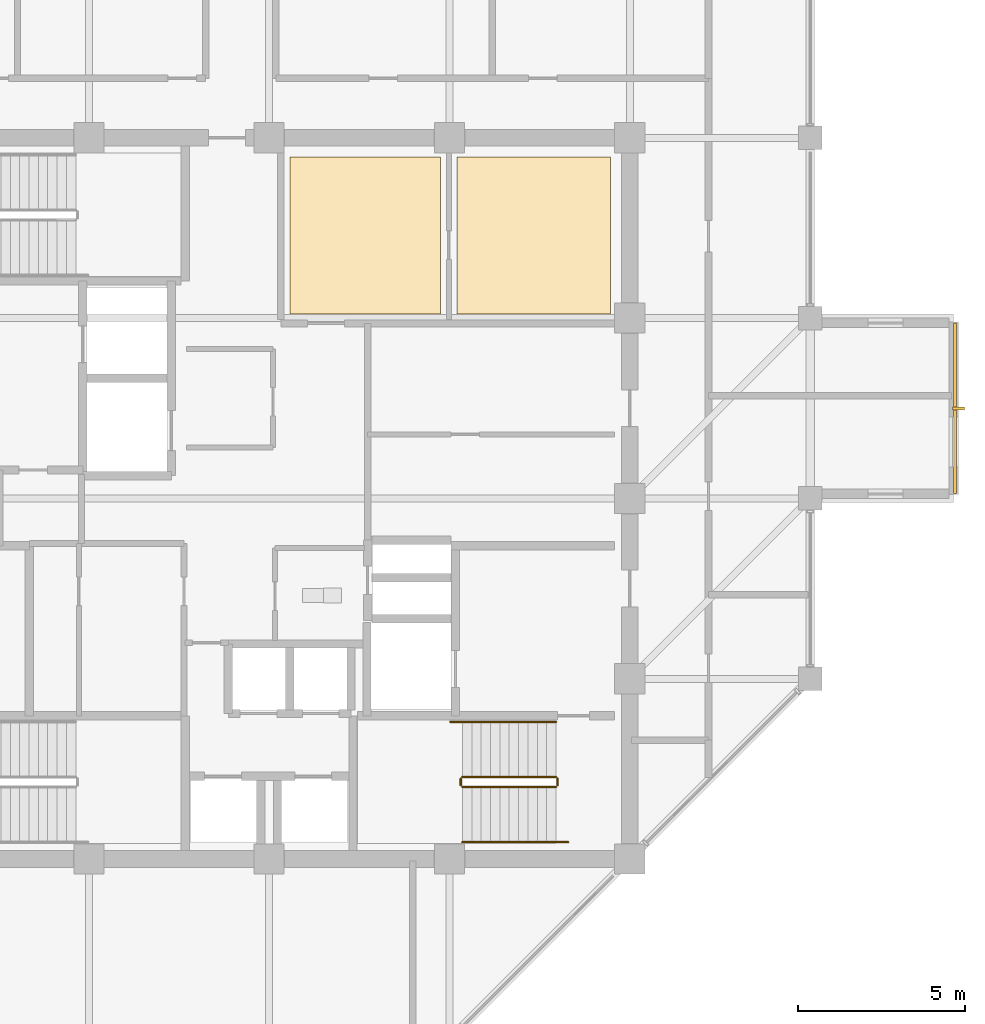
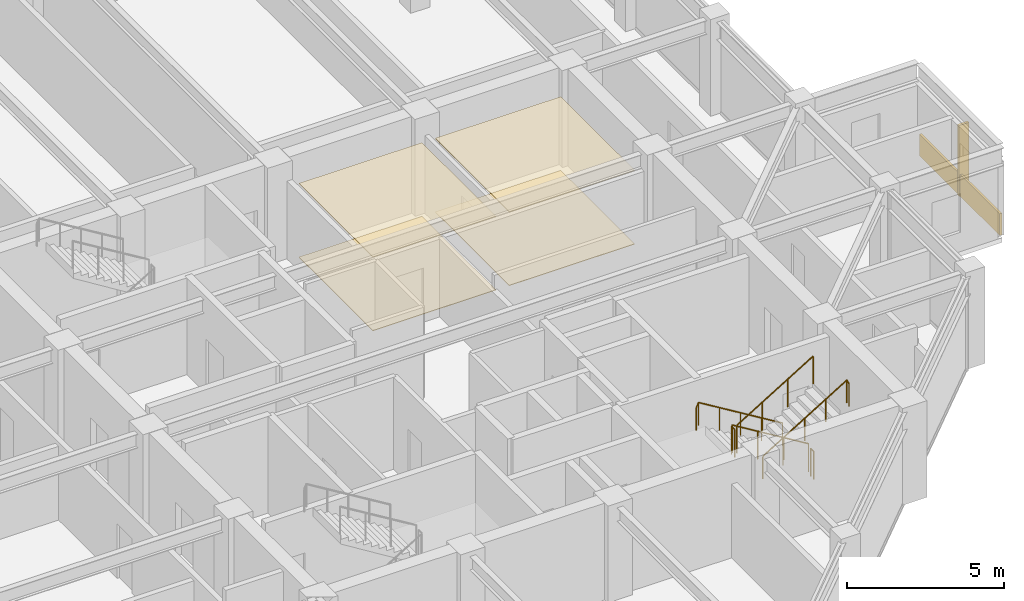
# One storey, part 31 of 32: 6 railings, 5 coverings, 1 shading device.
"""IFC4 building model written with IfcOpenShell, lengths in metres."""

from ifc_helpers import new_model, si_unit, direction, frame, origin, origin_2d, place, context, subcontext, project, spatial, polyline, rectangle, circle, outline, extrude, material, layer, layer_set, type_object, element, save


model = new_model("IFC4")

# Units and contexts
model_context = context("Model", 3, precision=1e-05, world=origin(), true_north=direction((0.0, 1.0)))
body_context = subcontext(model_context, "Body", "Model", "MODEL_VIEW")
ifc_project = project(units=[si_unit("LENGTHUNIT", "METRE"), si_unit("AREAUNIT", "SQUARE_METRE"), si_unit("VOLUMEUNIT", "CUBIC_METRE"), si_unit("PLANEANGLEUNIT", "RADIAN"), si_unit("MASSUNIT", "GRAM", prefix="KILO")], contexts=[model_context])

# Site, building, storey
site_placement = place(None, origin())
site = spatial("IfcSite", under=ifc_project, at=site_placement, CompositionType="ELEMENT")
building_placement = place(site_placement, origin())
building = spatial("IfcBuilding", under=site, at=building_placement, Name="Surkhivell Harbour Commons", CompositionType="ELEMENT")
storey_placement = place(building_placement, frame((0.0, 0.0, 311.25)))
storey = spatial("IfcBuildingStorey", under=building, at=storey_placement, Name="L81", CompositionType="ELEMENT", Elevation=311.25)

# Coverings
ifc_material_1 = material(Name="Perforated acoustic mineral-fibre ceiling tile", Category="other")
ifc_layer_1 = layer(ifc_material_1, 0.02490234375)
ifc_layer_set_1 = layer_set([ifc_layer_1], Name="Perforated acoustic mineral-fibre ceiling tile")
covering_type_1 = type_object("IfcCoveringType", Name="COV-CEIL-AC", PredefinedType="CEILING", material=ifc_layer_set_1)
covering_1_placement = place(storey_placement, frame((0.0, 0.0, 2.85205078125)))
element("IfcCovering", 1, at=covering_1_placement, inside=storey, type_object=covering_type_1, Name="L81 Suspended Acoustic Ceiling 1", PredefinedType="CEILING", context=body_context, shape_type="SweptSolid", body=[
    extrude(outline(polyline([(0.6201171875, 5.52001953125), (5.1298828125, 5.52001953125), (5.1298828125, 10.219970703125), (0.6201171875, 10.219970703125), (0.6201171875, 5.52001953125)])), origin(), (0.0, 0.0, 1.0), 0.02490234375),
])
ifc_material_2 = material(Name="Moisture-resistant gypsum acoustic ceiling board", Category="other")
ifc_layer_2 = layer(ifc_material_2, 0.030029296875)
ifc_layer_set_2 = layer_set([ifc_layer_2], Name="Moisture-resistant gypsum acoustic ceiling board")
covering_type_2 = type_object("IfcCoveringType", Name="COV-CEIL-GYP", PredefinedType="CEILING", material=ifc_layer_set_2)
covering_2_placement = place(storey_placement, frame((0.0, 0.0, 2.846923828125)))
element("IfcCovering", 2, at=covering_2_placement, inside=storey, type_object=covering_type_2, Name="L81 Suspended Acoustic Ceiling 2", PredefinedType="CEILING", context=body_context, shape_type="SweptSolid", body=[
    extrude(outline(polyline([(5.6201171875, 5.52001953125), (10.219970703125, 5.52001953125), (10.219970703125, 10.219970703125), (5.6201171875, 10.219970703125), (5.6201171875, 5.52001953125)])), origin(), (0.0, 0.0, 1.0), 0.030029296875),
])
ifc_material_3 = material(Name="Emerald-teal enamelled aluminium cassette panel", Category="aluminium")
ifc_layer_3 = layer(ifc_material_3, 0.068115234375)
ifc_layer_set_3 = layer_set([ifc_layer_3], Name="Emerald-teal enamelled aluminium cassette panel")
covering_type_3 = type_object("IfcCoveringType", Name="COV-CLAD-EME", PredefinedType="CLADDING", material=ifc_layer_set_3)
covering_3_placement = place(storey_placement, frame((20.5400390625, 2.699951171875, 0.0), z_axis=(0.0, 0.0, 1.0), x_axis=(1.0, 0.0, 0.0)))
element("IfcCovering", 3, at=covering_3_placement, inside=storey, type_object=covering_type_3, Name="L81 Coloured-Panel Box Spandrel Cassette 01", PredefinedType="CLADDING", context=body_context, shape_type="SweptSolid", body=[
    extrude(rectangle(XDim=0.080078125, YDim=5.10009765625, at=origin_2d()), origin(), (0.0, 0.0, 1.0), 0.840087890625),
])
ifc_material_4 = material(Name="Engineered acoustic oak timber flooring", Category="wood")
ifc_layer_4 = layer(ifc_material_4, 0.02001953125)
ifc_layer_set_4 = layer_set([ifc_layer_4], Name="Engineered acoustic oak timber flooring")
covering_type_4 = type_object("IfcCoveringType", Name="COV-FLR-TIM", PredefinedType="FLOORING", material=ifc_layer_set_4)
covering_4_placement = place(storey_placement, origin())
element("IfcCovering", 4, at=covering_4_placement, inside=storey, type_object=covering_type_4, Name="L81 Interior Floor Finish 1", PredefinedType="FLOORING", context=body_context, shape_type="SweptSolid", body=[
    extrude(outline(polyline([(0.6201171875, 5.52001953125), (5.1298828125, 5.52001953125), (5.1298828125, 10.219970703125), (0.6201171875, 10.219970703125), (0.6201171875, 5.52001953125)])), origin(), (0.0, 0.0, 1.0), 0.02001953125),
])
covering_5_placement = place(storey_placement, origin())
element("IfcCovering", 5, at=covering_5_placement, inside=storey, type_object=covering_type_4, Name="L81 Interior Floor Finish 2", PredefinedType="FLOORING", context=body_context, shape_type="SweptSolid", body=[
    extrude(outline(polyline([(5.6201171875, 5.52001953125), (10.219970703125, 5.52001953125), (10.219970703125, 10.219970703125), (5.6201171875, 10.219970703125), (5.6201171875, 5.52001953125)])), origin(), (0.0, 0.0, 1.0), 0.02001953125),
])

# Railings
ifc_material_5 = material(Name="Galvanised and painted steel S355 guard rail", Category="steel")
railing_type_1 = type_object("IfcRailingType", Name="RAL-ST-GRD1100", PredefinedType="GUARDRAIL", material=ifc_material_5)
railing_1_placement = place(storey_placement, frame((8.590087890625, -8.340087890625, 0.17041015625)))
element("IfcRailing", 6, at=railing_1_placement, inside=storey, type_object=railing_type_1, Name="L81 ST2 stair guard 1", PredefinedType="GUARDRAIL", context=body_context, shape_type="SweptSolid", body=[
    extrude(circle(Radius=0.02392578125, at=origin_2d()), frame((0.0, 0.0, 1.076171875), z_axis=(-0.854169791009, 0.0, 0.51999420009), x_axis=(0.0, -1.0, 0.0)), (0.0, 0.0, 1.0), 3.278076171875),
    extrude(circle(Radius=0.02099609375, at=origin_2d()), origin(), (0.0, 0.0, 1.0), 1.052001953125),
    extrude(circle(Radius=0.02099609375, at=origin_2d()), frame((-0.933349609375, 0.0, 0.568115234375)), (0.0, 0.0, 1.0), 1.052001953125),
    extrude(circle(Radius=0.02099609375, at=origin_2d()), frame((-1.86669921875, 0.0, 1.136474609375)), (0.0, 0.0, 1.0), 1.052001953125),
    extrude(circle(Radius=0.02099609375, at=origin_2d()), frame((-2.800048828125, 0.0, 1.70458984375)), (0.0, 0.0, 1.0), 1.052001953125),
])
railing_2_placement = place(storey_placement, frame((5.739990234375, -8.389892578125, 1.875)))
element("IfcRailing", 7, at=railing_2_placement, inside=storey, type_object=railing_type_1, Name="L81 ST2 stair guard 2", PredefinedType="GUARDRAIL", context=body_context, shape_type="SweptSolid", body=[
    extrude(circle(Radius=0.02392578125, at=origin_2d()), frame((0.0, 0.0, 1.076171875), z_axis=(0.0, -1.0, 0.0), x_axis=(1.0, 0.0, 0.0)), (0.0, 0.0, 1.0), 0.2001953125),
    extrude(circle(Radius=0.02099609375, at=origin_2d()), origin(), (0.0, 0.0, 1.0), 1.052001953125),
    extrude(circle(Radius=0.02099609375, at=origin_2d()), frame((0.0, -0.2001953125, 0.0)), (0.0, 0.0, 1.0), 1.052001953125),
])
railing_3_placement = place(storey_placement, frame((5.7900390625, -8.639892578125, 2.04541015625)))
element("IfcRailing", 8, at=railing_3_placement, inside=storey, type_object=railing_type_1, Name="L81 ST2 stair guard 3", PredefinedType="GUARDRAIL", context=body_context, shape_type="SweptSolid", body=[
    extrude(circle(Radius=0.02392578125, at=origin_2d()), frame((0.0, 0.0, 1.076171875), z_axis=(0.854169791009, 0.0, 0.51999420009), x_axis=(0.0, 1.0, 0.0)), (0.0, 0.0, 1.0), 3.278076171875),
    extrude(circle(Radius=0.02099609375, at=origin_2d()), origin(), (0.0, 0.0, 1.0), 1.052001953125),
    extrude(circle(Radius=0.02099609375, at=origin_2d()), frame((0.933349609375, 0.0, 0.568115234375)), (0.0, 0.0, 1.0), 1.052001953125),
    extrude(circle(Radius=0.02099609375, at=origin_2d()), frame((1.86669921875, 0.0, 1.136474609375)), (0.0, 0.0, 1.0), 1.052001953125),
    extrude(circle(Radius=0.02099609375, at=origin_2d()), frame((2.800048828125, 0.0, 1.70458984375)), (0.0, 0.0, 1.0), 1.052001953125),
])
railing_4_placement = place(storey_placement, frame((8.639892578125, -8.389892578125, 0.0)))
element("IfcRailing", 9, at=railing_4_placement, inside=storey, type_object=railing_type_1, Name="L81 ST2 stair guard 4", PredefinedType="GUARDRAIL", context=body_context, shape_type="SweptSolid", body=[
    extrude(circle(Radius=0.02392578125, at=origin_2d()), frame((0.0, 0.0, 1.076171875), z_axis=(0.0, -1.0, 0.0), x_axis=(1.0, 0.0, 0.0)), (0.0, 0.0, 1.0), 0.2001953125),
    extrude(circle(Radius=0.02099609375, at=origin_2d()), origin(), (0.0, 0.0, 1.0), 1.052001953125),
    extrude(circle(Radius=0.02099609375, at=origin_2d()), frame((0.0, -0.2001953125, 0.0)), (0.0, 0.0, 1.0), 1.052001953125),
])
ifc_material_6 = material(Name="Brushed stainless steel S355 handrail", Category="steel")
railing_type_2 = type_object("IfcRailingType", Name="RAL-ST-HND900", PredefinedType="HANDRAIL", material=ifc_material_6)
railing_5_placement = place(storey_placement, frame((8.590087890625, -6.68994140625, 0.17041015625)))
element("IfcRailing", 10, at=railing_5_placement, inside=storey, type_object=railing_type_2, Name="L81 ST2 stair handrail 1", PredefinedType="HANDRAIL", context=body_context, shape_type="SweptSolid", body=[
    extrude(circle(Radius=0.02392578125, at=origin_2d()), frame((0.0, 0.0, 0.8759765625), z_axis=(-0.854177636135, 0.0, 0.519981313056), x_axis=(0.0, -1.0, 0.0)), (0.0, 0.0, 1.0), 3.60595703125),
    extrude(circle(Radius=0.02392578125, at=origin_2d()), frame((-3.080078125, 0.0, 2.7509765625), z_axis=(-0.425297416671, 0.0, -0.905053648892), x_axis=(0.0, -1.0, 0.0)), (0.0, 0.0, 1.0), 0.188232421875),
    extrude(circle(Radius=0.02099609375, at=origin_2d()), origin(), (0.0, 0.0, 1.0), 0.851806640625),
    extrude(circle(Radius=0.02099609375, at=origin_2d()), frame((-0.77001953125, 0.0, 0.46875)), (0.0, 0.0, 1.0), 0.851806640625),
    extrude(circle(Radius=0.02099609375, at=origin_2d()), frame((-1.5400390625, 0.0, 0.9375)), (0.0, 0.0, 1.0), 0.851806640625),
    extrude(circle(Radius=0.02099609375, at=origin_2d()), frame((-2.31005859375, 0.0, 1.40625)), (0.0, 0.0, 1.0), 0.851806640625),
    extrude(circle(Radius=0.02099609375, at=origin_2d()), frame((-3.080078125, 0.0, 1.875)), (0.0, 0.0, 1.0), 0.851806640625),
    extrude(circle(Radius=0.02099609375, at=origin_2d()), frame((-3.16015625, 0.0, 1.70458984375)), (0.0, 0.0, 1.0), 0.851806640625),
])
railing_6_placement = place(storey_placement, frame((5.7900390625, -10.2900390625, 2.04541015625)))
element("IfcRailing", 11, at=railing_6_placement, inside=storey, type_object=railing_type_2, Name="L81 ST2 stair handrail 2", PredefinedType="HANDRAIL", context=body_context, shape_type="SweptSolid", body=[
    extrude(circle(Radius=0.02392578125, at=origin_2d()), frame((0.0, 0.0, 0.8759765625), z_axis=(0.854177636135, 0.0, 0.519981313056), x_axis=(0.0, 1.0, 0.0)), (0.0, 0.0, 1.0), 3.60595703125),
    extrude(circle(Radius=0.02392578125, at=origin_2d()), frame((3.080078125, 0.0, 2.7509765625), z_axis=(0.424234432967, 0.0, -0.905552398199), x_axis=(0.0, 1.0, 0.0)), (0.0, 0.0, 1.0), 0.188232421875),
    extrude(circle(Radius=0.02099609375, at=origin_2d()), origin(), (0.0, 0.0, 1.0), 0.851806640625),
    extrude(circle(Radius=0.02099609375, at=origin_2d()), frame((0.77001953125, 0.0, 0.46875)), (0.0, 0.0, 1.0), 0.851806640625),
    extrude(circle(Radius=0.02099609375, at=origin_2d()), frame((1.5400390625, 0.0, 0.9375)), (0.0, 0.0, 1.0), 0.851806640625),
    extrude(circle(Radius=0.02099609375, at=origin_2d()), frame((2.31005859375, 0.0, 1.40625)), (0.0, 0.0, 1.0), 0.851806640625),
    extrude(circle(Radius=0.02099609375, at=origin_2d()), frame((3.080078125, 0.0, 1.875)), (0.0, 0.0, 1.0), 0.851806640625),
    extrude(circle(Radius=0.02099609375, at=origin_2d()), frame((3.159912109375, 0.0, 1.70458984375)), (0.0, 0.0, 1.0), 0.851806640625),
])

# Shading device
ifc_material_7 = material(Name="Anodised pale-metal aluminium solar fin", Category="aluminium")
shading_device_type = type_object("IfcShadingDeviceType", Name="SHD-FIN-VERT", PredefinedType="USERDEFINED", material=ifc_material_7)
shading_device_placement = place(storey_placement, frame((20.639892578125, 2.699951171875, 0.0048828125), z_axis=(0.0, 0.0, 1.0), x_axis=(1.0, 0.0, 0.0)))
element("IfcShadingDevice", 12, at=shading_device_placement, inside=storey, type_object=shading_device_type, Name="L81 Coloured-Box Solar Fin 01", ObjectType="FIN", PredefinedType="USERDEFINED", context=body_context, shape_type="SweptSolid", body=[
    extrude(rectangle(XDim=0.360107421875, YDim=0.090087890625, at=origin_2d()), origin(), (0.0, 0.0, 1.0), 2.75),
])

save(model, "model.ifc")
